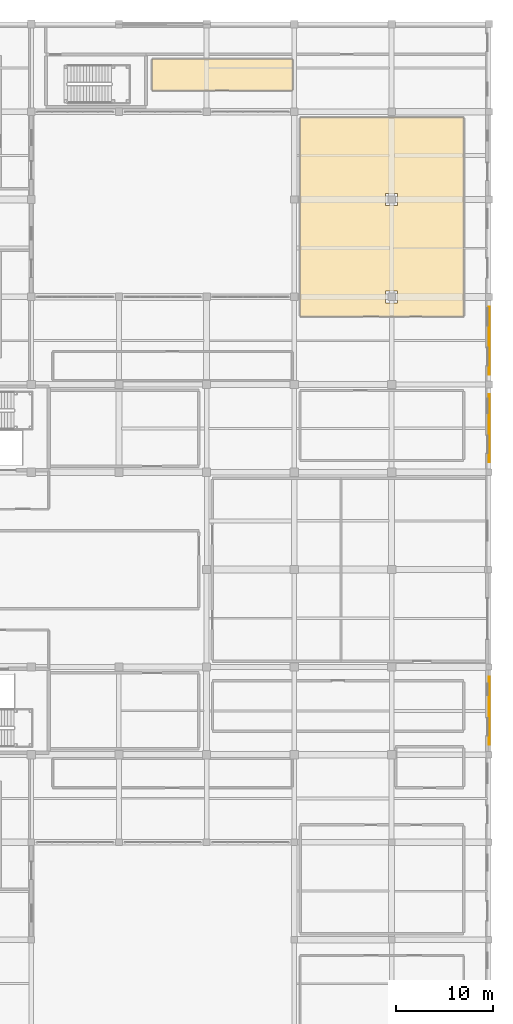
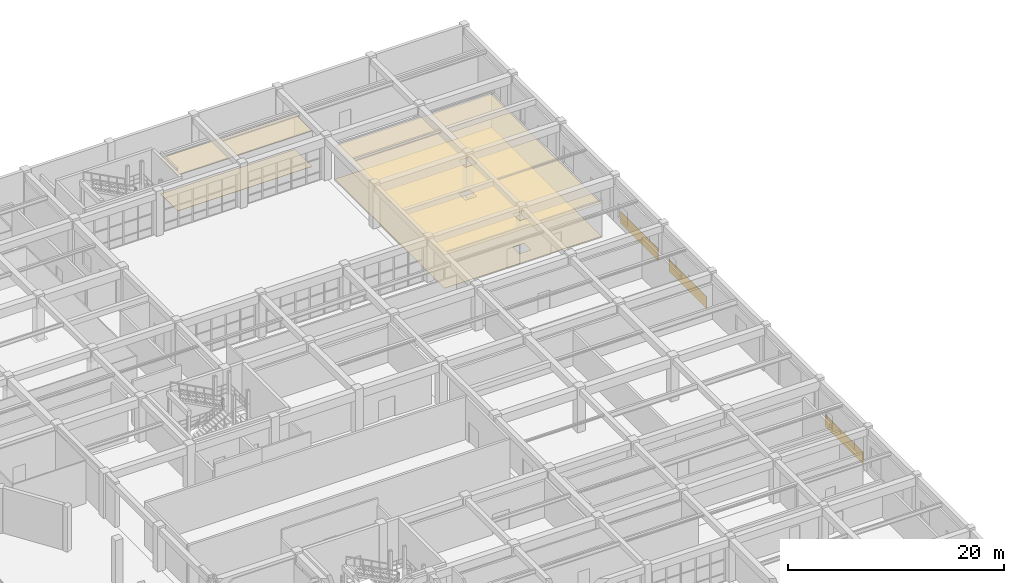
# One storey, part 128 of 128: 7 coverings.
"""IFC4 building model written with IfcOpenShell, lengths in metres."""

from ifc_helpers import new_model, si_unit, direction, frame, origin, place, context, subcontext, project, spatial, polyline, outline, extrude, material, layer, layer_set, type_object, element, save


model = new_model("IFC4")

# Units and contexts
model_context = context("Model", 3, precision=1e-05, world=origin(), true_north=direction((0.0, 1.0)))
body_context = subcontext(model_context, "Body", "Model", "MODEL_VIEW")
ifc_project = project(units=[si_unit("LENGTHUNIT", "METRE"), si_unit("AREAUNIT", "SQUARE_METRE"), si_unit("VOLUMEUNIT", "CUBIC_METRE"), si_unit("PLANEANGLEUNIT", "RADIAN"), si_unit("MASSUNIT", "GRAM", prefix="KILO")], contexts=[model_context])

# Site, building, storey
site_placement = place(None, origin())
site = spatial("IfcSite", under=ifc_project, at=site_placement, CompositionType="ELEMENT")
building_placement = place(site_placement, origin())
building = spatial("IfcBuilding", under=site, at=building_placement, Name="Miravela Opera House", CompositionType="ELEMENT")
storey_placement = place(building_placement, origin())
storey = spatial("IfcBuildingStorey", under=building, at=storey_placement, Name="L00", CompositionType="ELEMENT", Elevation=0.0)

# Coverings
ifc_material_1 = material(Name="Perforated hardwood acoustic reflector ceiling", Category="wood")
ifc_layer_1 = layer(ifc_material_1, 0.031982421875)
ifc_layer_set_1 = layer_set([ifc_layer_1])
covering_type_1 = type_object("IfcCoveringType", Name="ARC-CEIL-ACOUSTIC-32", PredefinedType="CEILING", material=ifc_layer_set_1)
covering_1_placement = place(storey_placement, frame((0.0, 0.0, 4.050048828125)))
element("IfcCovering", 1, at=covering_1_placement, inside=storey, type_object=covering_type_1, Name="Community Opera Education Studio 1 Acoustic Ceiling", PredefinedType="CEILING", context=body_context, shape_type="SweptSolid", body=[
    extrude(outline(polyline([(129.39990234375, 105.199951171875), (143.800048828125, 105.199951171875), (143.800048828125, 108.39990234375), (129.39990234375, 108.39990234375), (129.39990234375, 105.199951171875)])), origin(), (0.0, 0.0, 1.0), 0.031982421875),
])
ifc_material_2 = material(Name="Suspended acoustic gypsum board ceiling")
ifc_layer_2 = layer(ifc_material_2, 0.02392578125)
ifc_layer_set_2 = layer_set([ifc_layer_2])
covering_type_2 = type_object("IfcCoveringType", Name="ARC-CEIL-GYPSUM-24", PredefinedType="CEILING", material=ifc_layer_set_2)
covering_2_placement = place(storey_placement, frame((0.0, 0.0, 3.75)))
element("IfcCovering", 2, at=covering_2_placement, inside=storey, type_object=covering_type_2, Name="Artist Lounge and Canteen Acoustic Ceiling", PredefinedType="CEILING", context=body_context, shape_type="SweptSolid", body=[
    extrude(outline(polyline([(144.60009765625, 82.0), (161.39990234375, 82.0), (161.39990234375, 102.39990234375), (144.60009765625, 102.39990234375), (144.60009765625, 82.0)]), holes=[polyline([(153.3896484375, 83.3896484375), (154.6103515625, 83.3896484375), (154.6103515625, 84.6103515625), (153.3896484375, 84.6103515625), (153.3896484375, 83.3896484375)]), polyline([(153.3896484375, 93.3896484375), (154.6103515625, 93.3896484375), (154.6103515625, 94.6103515625), (153.3896484375, 94.6103515625), (153.3896484375, 93.3896484375)])]), origin(), (0.0, 0.0, 1.0), 0.02392578125),
])
ifc_material_3 = material(Name="Carved dark volcanic basalt ashlar cladding", Category="masonry")
ifc_layer_3 = layer(ifc_material_3, 0.054931640625)
ifc_layer_set_3 = layer_set([ifc_layer_3])
covering_type_3 = type_object("IfcCoveringType", Name="ARC-COV-BASALT-CLAD", PredefinedType="CLADDING", material=ifc_layer_set_3)
covering_3_placement = place(storey_placement, origin())
element("IfcCovering", 3, at=covering_3_placement, inside=storey, type_object=covering_type_3, Name="Volcanic Basalt Plinth Rustication Cladding 06", PredefinedType="CLADDING", context=body_context, shape_type="SweptSolid", body=[
    extrude(outline(polyline([(163.991943359375, 38.0), (164.048095703125, 38.0), (164.048095703125, 45.0), (163.991943359375, 45.0), (163.991943359375, 38.0)])), origin(), (0.0, 0.0, 1.0), 1.35009765625),
])
covering_4_placement = place(storey_placement, origin())
element("IfcCovering", 4, at=covering_4_placement, inside=storey, type_object=covering_type_3, Name="Volcanic Basalt Plinth Rustication Cladding 07", PredefinedType="CLADDING", context=body_context, shape_type="SweptSolid", body=[
    extrude(outline(polyline([(163.991943359375, 67.0), (164.048095703125, 67.0), (164.048095703125, 74.0), (163.991943359375, 74.0), (163.991943359375, 67.0)])), origin(), (0.0, 0.0, 1.0), 1.35009765625),
])
covering_5_placement = place(storey_placement, origin())
element("IfcCovering", 5, at=covering_5_placement, inside=storey, type_object=covering_type_3, Name="Volcanic Basalt Plinth Rustication Cladding 08", PredefinedType="CLADDING", context=body_context, shape_type="SweptSolid", body=[
    extrude(outline(polyline([(163.991943359375, 76.0), (164.048095703125, 76.0), (164.048095703125, 83.0), (163.991943359375, 83.0), (163.991943359375, 76.0)])), origin(), (0.0, 0.0, 1.0), 1.35009765625),
])
ifc_material_4 = material(Name="Sprung resilient oak stage and ballet flooring")
ifc_layer_4 = layer(ifc_material_4, 0.0380859375)
ifc_layer_set_4 = layer_set([ifc_layer_4])
covering_type_4 = type_object("IfcCoveringType", Name="ARC-FLR-SPRUNG-38", PredefinedType="FLOORING", material=ifc_layer_set_4)
covering_6_placement = place(storey_placement, origin())
element("IfcCovering", 6, at=covering_6_placement, inside=storey, type_object=covering_type_4, Name="Community Opera Education Studio 1 Finish Flooring", PredefinedType="FLOORING", context=body_context, shape_type="SweptSolid", body=[
    extrude(outline(polyline([(129.39990234375, 105.199951171875), (143.800048828125, 105.199951171875), (143.800048828125, 108.39990234375), (129.39990234375, 108.39990234375), (129.39990234375, 105.199951171875)])), origin(), (0.0, 0.0, 1.0), 0.0380859375),
])
ifc_material_5 = material(Name="Honed Guatemalan limestone foyer flooring", Category="masonry")
ifc_layer_5 = layer(ifc_material_5, 0.02587890625)
ifc_layer_set_5 = layer_set([ifc_layer_5])
covering_type_5 = type_object("IfcCoveringType", Name="ARC-FLR-TRAVERTINE-26", PredefinedType="FLOORING", material=ifc_layer_set_5)
covering_7_placement = place(storey_placement, origin())
element("IfcCovering", 7, at=covering_7_placement, inside=storey, type_object=covering_type_5, Name="Artist Lounge and Canteen Finish Flooring", PredefinedType="FLOORING", context=body_context, shape_type="SweptSolid", body=[
    extrude(outline(polyline([(144.60009765625, 82.0), (161.39990234375, 82.0), (161.39990234375, 102.39990234375), (144.60009765625, 102.39990234375), (144.60009765625, 82.0)]), holes=[polyline([(153.3896484375, 83.3896484375), (154.6103515625, 83.3896484375), (154.6103515625, 84.6103515625), (153.3896484375, 84.6103515625), (153.3896484375, 83.3896484375)]), polyline([(153.3896484375, 93.3896484375), (154.6103515625, 93.3896484375), (154.6103515625, 94.6103515625), (153.3896484375, 94.6103515625), (153.3896484375, 93.3896484375)])]), origin(), (0.0, 0.0, 1.0), 0.02587890625),
])

save(model, "model.ifc")
